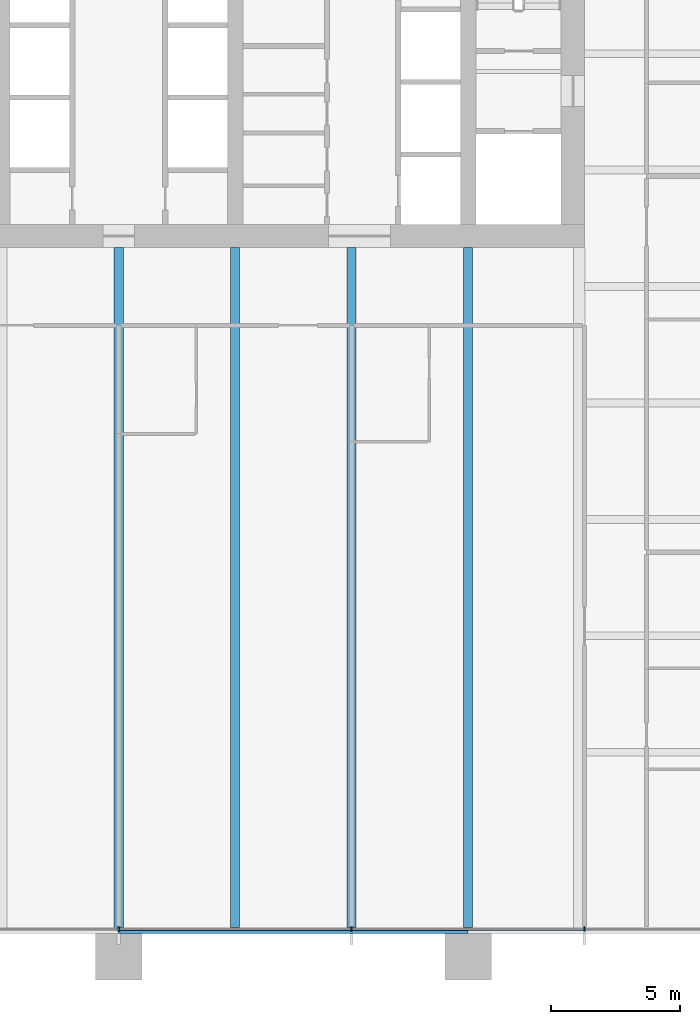
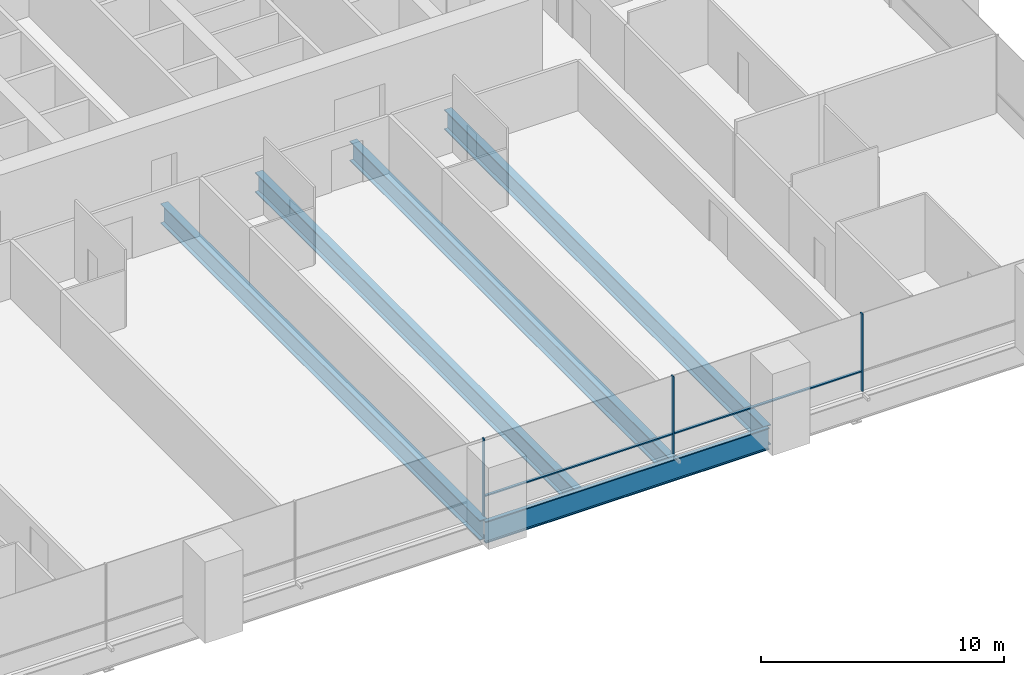
# One storey, part 5 of 17: 5 beams, 5 members, 1 element without a shape of its own.
"""IFC4 building model written with IfcOpenShell, lengths in metres."""

from ifc_helpers import new_model, si_unit, direction, frame, origin, origin_2d, place, context, subcontext, project, spatial, rectangle, i_section, extrude, material, material_profile, profile_set, type_object, element, aggregate, save


model = new_model("IFC4")

# Units and contexts
model_context = context("Model", 3, precision=1e-05, world=origin(), true_north=direction((0.0, 1.0)))
body_context = subcontext(model_context, "Body", "Model", "MODEL_VIEW")
ifc_project = project(units=[si_unit("LENGTHUNIT", "METRE"), si_unit("AREAUNIT", "SQUARE_METRE"), si_unit("VOLUMEUNIT", "CUBIC_METRE"), si_unit("PLANEANGLEUNIT", "RADIAN"), si_unit("MASSUNIT", "GRAM", prefix="KILO")], contexts=[model_context])

# Site, building, storey
site_placement = place(None, origin())
site = spatial("IfcSite", under=ifc_project, at=site_placement, CompositionType="ELEMENT")
building_placement = place(site_placement, origin())
building = spatial("IfcBuilding", under=site, at=building_placement, Name="Rattan Terrace Tower", CompositionType="ELEMENT")
storey_placement = place(building_placement, frame((0.0, 0.0, 61.10009765625)))
storey = spatial("IfcBuildingStorey", under=building, at=storey_placement, Name="L13", CompositionType="ELEMENT", Elevation=61.10009765625)

# Curtain wall, members
ifc_material_1 = material(Name="Aluminium and glass", Category="aluminium")
curtain_wall_type = type_object("IfcCurtainWallType", Name="Facade Unitised Curtain Wall", PredefinedType="NOTDEFINED", material=ifc_material_1)
curtain_wall_placement = place(storey_placement, origin())
curtain_wall = element("IfcCurtainWall", 1, at=curtain_wall_placement, inside=storey, type_object=curtain_wall_type, Name="Curtain wall L13-4", PredefinedType="NOTDEFINED")
ifc_material_2 = material(Name="Aluminium", Category="aluminium")
ifc_material_profile_1 = material_profile(ifc_material_2, rectangle(XDim=0.06005859375, YDim=0.159912109375, at=origin_2d()), Name="Aluminium 60x160")
ifc_profile_set_1 = profile_set([ifc_material_profile_1], Name="Aluminium")
member_type_1 = type_object("IfcMemberType", Name="Facade CW Mullion 60x160", PredefinedType="MULLION", material=ifc_profile_set_1)
member_1_placement = place(storey_placement, frame((0.0, -33.830078125, 0.0), z_axis=(0.0, 0.0, 1.0), x_axis=(1.0, 0.0, 0.0)))
member_1 = element("IfcMember", 2, at=member_1_placement, type_object=member_type_1, Name="Mullion cwl-L13-004.4", PredefinedType="MULLION", context=body_context, shape_type="SweptSolid", body=[
    extrude(rectangle(XDim=0.06005859375, YDim=0.159912109375, at=origin_2d()), origin(), (0.0, 0.0, 1.0), 3.89990234375),
])
member_2_placement = place(storey_placement, frame((9.0, -33.830078125, 0.0), z_axis=(0.0, 0.0, 1.0), x_axis=(1.0, 0.0, 0.0)))
member_2 = element("IfcMember", 3, at=member_2_placement, type_object=member_type_1, Name="Mullion cwl-L13-004.5", PredefinedType="MULLION", context=body_context, shape_type="SweptSolid", body=[
    extrude(rectangle(XDim=0.06005859375, YDim=0.159912109375, at=origin_2d()), origin(), (0.0, 0.0, 1.0), 3.89990234375),
])
member_3_placement = place(storey_placement, frame((18.0, -33.830078125, 0.0), z_axis=(0.0, 0.0, 1.0), x_axis=(1.0, 0.0, 0.0)))
member_3 = element("IfcMember", 4, at=member_3_placement, type_object=member_type_1, Name="Mullion cwl-L13-004.6", PredefinedType="MULLION", context=body_context, shape_type="SweptSolid", body=[
    extrude(rectangle(XDim=0.06005859375, YDim=0.159912109375, at=origin_2d()), origin(), (0.0, 0.0, 1.0), 3.89990234375),
])
ifc_material_3 = material(Name="Aluminium", Category="aluminium")
ifc_material_profile_2 = material_profile(ifc_material_3, rectangle(XDim=0.1201171875, YDim=0.06005859375, at=origin_2d()), Name="Aluminium 120x60")
ifc_profile_set_2 = profile_set([ifc_material_profile_2], Name="Aluminium")
member_type_2 = type_object("IfcMemberType", Name="Facade CW Transom 120x60", PredefinedType="USERDEFINED", material=ifc_profile_set_2)
member_4_placement = place(storey_placement, frame((0.030029296875, -33.830078125, 1.0), z_axis=(1.0, 0.0, 0.0), x_axis=(0.0, 1.0, 0.0)))
member_4 = element("IfcMember", 5, at=member_4_placement, type_object=member_type_2, Name="Transom cwl-L13-004.4", ObjectType="TRANSOM", PredefinedType="USERDEFINED", context=body_context, shape_type="SweptSolid", body=[
    extrude(rectangle(XDim=0.1201171875, YDim=0.06005859375, at=origin_2d()), origin(), (0.0, 0.0, 1.0), 8.93994140625),
])
member_5_placement = place(storey_placement, frame((9.030029296875, -33.830078125, 1.0), z_axis=(1.0, 0.0, 0.0), x_axis=(0.0, 1.0, 0.0)))
member_5 = element("IfcMember", 6, at=member_5_placement, type_object=member_type_2, Name="Transom cwl-L13-004.5", ObjectType="TRANSOM", PredefinedType="USERDEFINED", context=body_context, shape_type="SweptSolid", body=[
    extrude(rectangle(XDim=0.1201171875, YDim=0.06005859375, at=origin_2d()), origin(), (0.0, 0.0, 1.0), 8.93994140625),
])
aggregate(curtain_wall, [member_1, member_2, member_3, member_4, member_5])

# Beams
ifc_material_4 = material(Name="Steel S460", Category="steel")
ifc_material_profile_3 = material_profile(ifc_material_4, i_section(OverallWidth=0.179931640625, OverallDepth=1.10009765625, WebThickness=0.01611328125, FlangeThickness=0.050048828125, at=origin_2d()), Name="PG 1100x180-16-50")
ifc_profile_set_3 = profile_set([ifc_material_profile_3], Name="Steel S460")
beam_type_1 = type_object("IfcBeamType", Name="Frame edge girder PG 1100x180-16-50", PredefinedType="SPANDREL", material=ifc_profile_set_3)
beam_placement = place(storey_placement, frame((0.0, -33.909912109375, -0.75), z_axis=(1.0, 0.0, 0.0), x_axis=(0.0, 1.0, 0.0)))
element("IfcBeam", 7, at=beam_placement, inside=storey, type_object=beam_type_1, Name="gdr-L13-003", PredefinedType="SPANDREL", context=body_context, shape_type="SweptSolid", body=[
    extrude(i_section(OverallWidth=0.179931640625, OverallDepth=1.10009765625, WebThickness=0.01611328125, FlangeThickness=0.050048828125, at=origin_2d()), origin(), (0.0, 0.0, 1.0), 13.5),
])
ifc_material_5 = material(Name="Steel S460", Category="steel")
ifc_material_profile_4 = material_profile(ifc_material_5, i_section(OverallWidth=0.35009765625, OverallDepth=1.0, WebThickness=0.01611328125, FlangeThickness=0.044921875, at=origin_2d()), Name="PG 1000x350-16-45")
ifc_profile_set_4 = profile_set([ifc_material_profile_4], Name="Steel S460")
beam_type_2 = type_object("IfcBeamType", Name="Frame floor beam PG 1000x350-16-45", PredefinedType="JOIST", material=ifc_profile_set_4)
for number, where, z_axis, x_axis, name in (
    (8, (0.0, -33.820068359375, -0.7001953125), (0.0, 1.0, 0.0), (-1.0, 0.0, 0.0), "bm-L13-006"),
    (9, (4.5, -33.820068359375, -0.7001953125), (0.0, 1.0, 0.0), (-1.0, 0.0, 0.0), "bm-L13-007"),
    (10, (9.0, -33.820068359375, -0.7001953125), (0.0, 1.0, 0.0), (-1.0, 0.0, 0.0), "bm-L13-008"),
    (11, (13.5, -33.820068359375, -0.7001953125), (0.0, 1.0, 0.0), (-1.0, 0.0, 0.0), "bm-L13-009"),
):
    element("IfcBeam", number, at=place(storey_placement, frame(where, z_axis=z_axis, x_axis=x_axis)), inside=storey, type_object=beam_type_2, Name=name, PredefinedType="JOIST", context=body_context, shape_type="SweptSolid", body=[
        extrude(i_section(OverallWidth=0.35009765625, OverallDepth=1.0, WebThickness=0.01611328125, FlangeThickness=0.044921875, at=origin_2d()), origin(), (0.0, 0.0, 1.0), 26.320068359375),
    ])

save(model, "model.ifc")
